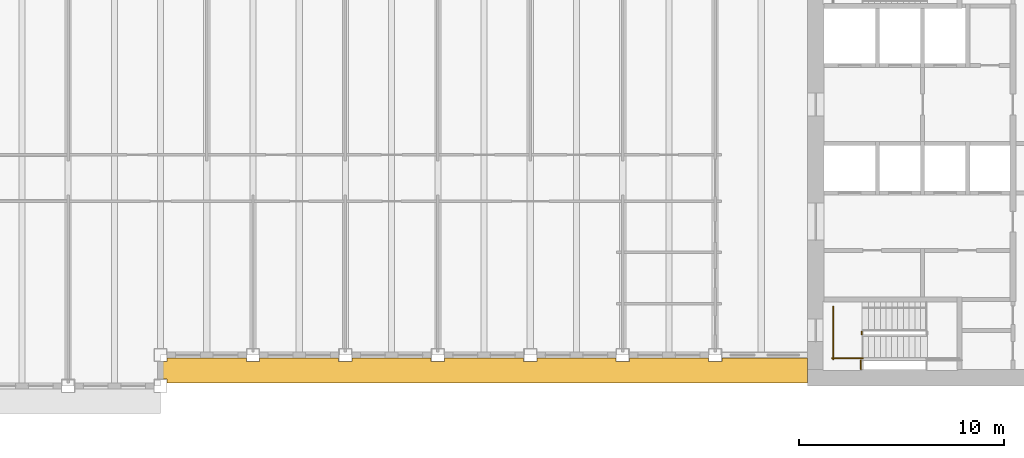
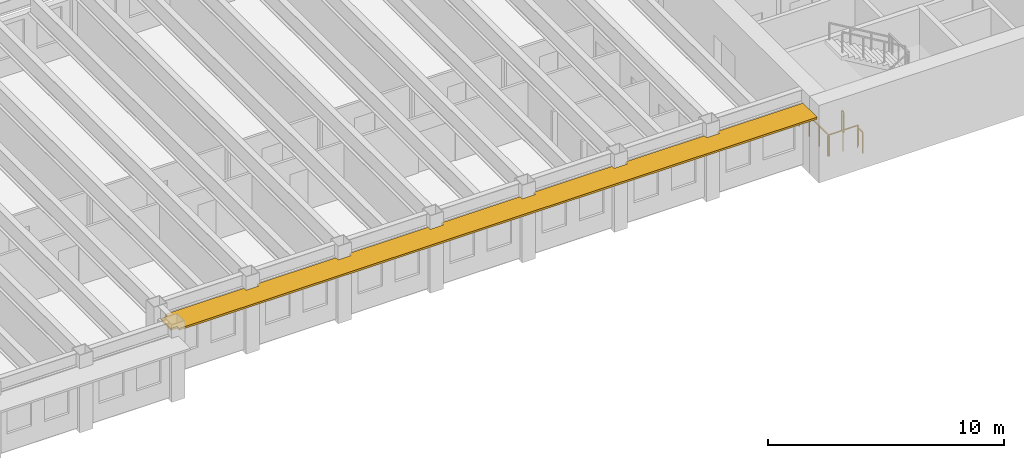
# One storey, part 9 of 12: 4 railings, 1 shading device.
"""IFC4 building model written with IfcOpenShell, lengths in metres."""

from ifc_helpers import new_model, si_unit, direction, frame, origin, origin_2d, place, context, subcontext, project, spatial, polyline, rectangle, outline, extrude, material, layer, layer_set, type_object, element, save


model = new_model("IFC4")

# Units and contexts
model_context = context("Model", 3, precision=1e-05, world=origin(), true_north=direction((0.0, 1.0)))
body_context = subcontext(model_context, "Body", "Model", "MODEL_VIEW")
ifc_project = project(units=[si_unit("LENGTHUNIT", "METRE"), si_unit("AREAUNIT", "SQUARE_METRE"), si_unit("VOLUMEUNIT", "CUBIC_METRE"), si_unit("PLANEANGLEUNIT", "RADIAN"), si_unit("MASSUNIT", "GRAM", prefix="KILO")], contexts=[model_context])

# Site, building, storey
site_placement = place(None, origin())
site = spatial("IfcSite", under=ifc_project, at=site_placement, CompositionType="ELEMENT")
building_placement = place(site_placement, origin())
building = spatial("IfcBuilding", under=site, at=building_placement, Name="Sennacour Bend Tower", CompositionType="ELEMENT")
storey_placement = place(building_placement, frame((0.0, 0.0, 249.0)))
storey = spatial("IfcBuildingStorey", under=building, at=storey_placement, Name="L57", CompositionType="ELEMENT", Elevation=249.0)

# Railings
ifc_material_1 = material(Name="Stainless steel", Category="steel")
railing_type = type_object("IfcRailingType", Name="RL-GUARD-1100", PredefinedType="GUARDRAIL", material=ifc_material_1)
railing_1_placement = place(storey_placement, frame((56.64990234375, 2.5, 0.0)))
element("IfcRailing", 1, at=railing_1_placement, inside=storey, type_object=railing_type, Name="L57 SA1 stair guard 5", PredefinedType="GUARDRAIL", context=body_context, shape_type="SweptSolid", body=[
    extrude(rectangle(XDim=0.048095703125, YDim=0.048095703125, at=origin_2d()), frame((0.0, 0.0, 1.076171875), z_axis=(0.0, 1.0, 0.0), x_axis=(-1.0, 0.0, 0.0)), (0.0, 0.0, 1.0), 0.14990234375),
    extrude(rectangle(XDim=0.0419921875, YDim=0.0419921875, at=origin_2d()), origin(), (0.0, 0.0, 1.0), 1.052001953125),
    extrude(rectangle(XDim=0.0419921875, YDim=0.0419921875, at=origin_2d()), frame((0.0, 0.14990234375, 0.0)), (0.0, 0.0, 1.0), 1.052001953125),
])
railing_2_placement = place(storey_placement, frame((55.199951171875, 1.35009765625, 0.0)))
element("IfcRailing", 2, at=railing_2_placement, inside=storey, type_object=railing_type, Name="L57 SA1 stair guard 6", PredefinedType="GUARDRAIL", context=body_context, shape_type="SweptSolid", body=[
    extrude(rectangle(XDim=0.048095703125, YDim=0.048095703125, at=origin_2d()), frame((0.0, 0.0, 1.076171875), z_axis=(1.0, 0.0, 0.0), x_axis=(0.0, 1.0, 0.0)), (0.0, 0.0, 1.0), 1.5),
    extrude(rectangle(XDim=0.0419921875, YDim=0.0419921875, at=origin_2d()), origin(), (0.0, 0.0, 1.0), 1.052001953125),
    extrude(rectangle(XDim=0.0419921875, YDim=0.0419921875, at=origin_2d()), frame((0.75, 0.0, 0.0)), (0.0, 0.0, 1.0), 1.052001953125),
    extrude(rectangle(XDim=0.0419921875, YDim=0.0419921875, at=origin_2d()), frame((1.5, 0.0, 0.0)), (0.0, 0.0, 1.0), 1.052001953125),
])
railing_3_placement = place(storey_placement, frame((55.25, 1.300048828125, 0.0)))
element("IfcRailing", 3, at=railing_3_placement, inside=storey, type_object=railing_type, Name="L57 SA1 stair guard 7", PredefinedType="GUARDRAIL", context=body_context, shape_type="SweptSolid", body=[
    extrude(rectangle(XDim=0.048095703125, YDim=0.048095703125, at=origin_2d()), frame((0.0, 0.0, 1.076171875), z_axis=(0.0, 1.0, 0.0), x_axis=(-1.0, 0.0, 0.0)), (0.0, 0.0, 1.0), 2.550048828125),
    extrude(rectangle(XDim=0.0419921875, YDim=0.0419921875, at=origin_2d()), origin(), (0.0, 0.0, 1.0), 1.052001953125),
    extrude(rectangle(XDim=0.0419921875, YDim=0.0419921875, at=origin_2d()), frame((0.0, 0.85009765625, 0.0)), (0.0, 0.0, 1.0), 1.052001953125),
    extrude(rectangle(XDim=0.0419921875, YDim=0.0419921875, at=origin_2d()), frame((0.0, 1.699951171875, 0.0)), (0.0, 0.0, 1.0), 1.052001953125),
    extrude(rectangle(XDim=0.0419921875, YDim=0.0419921875, at=origin_2d()), frame((0.0, 2.550048828125, 0.0)), (0.0, 0.0, 1.0), 1.052001953125),
])
railing_4_placement = place(storey_placement, frame((56.60009765625, 1.25, 0.0)))
element("IfcRailing", 4, at=railing_4_placement, inside=storey, type_object=railing_type, Name="L57 SA1 landing edge guard 144", PredefinedType="GUARDRAIL", context=body_context, shape_type="SweptSolid", body=[
    extrude(rectangle(XDim=0.048095703125, YDim=0.048095703125, at=origin_2d()), frame((0.0, 0.0, 1.076171875), z_axis=(0.0, -1.0, 0.0), x_axis=(1.0, 0.0, 0.0)), (0.0, 0.0, 1.0), 0.449951171875),
    extrude(rectangle(XDim=0.0419921875, YDim=0.0419921875, at=origin_2d()), origin(), (0.0, 0.0, 1.0), 1.052001953125),
    extrude(rectangle(XDim=0.0419921875, YDim=0.0419921875, at=origin_2d()), frame((0.0, -0.449951171875, 0.0)), (0.0, 0.0, 1.0), 1.052001953125),
])

# Shading device
ifc_material_2 = material(Name="Bronze anodised aluminium", Category="aluminium")
ifc_layer = layer(ifc_material_2, 0.10009765625, Name="Bronze anodised aluminium", Category="aluminium")
ifc_layer_set = layer_set([ifc_layer], Name="Bronze anodised aluminium")
shading_device_type = type_object("IfcShadingDeviceType", Name="SUNSHADE BAND STRAIGHT", PredefinedType="USERDEFINED", material=ifc_layer_set)
shading_device_placement = place(storey_placement, frame((0.0, 0.0, 3.06201171875)))
element("IfcShadingDevice", 5, at=shading_device_placement, inside=storey, type_object=shading_device_type, Name="Sunshade band L57 A outer face", ObjectType="SUNSHADE", PredefinedType="USERDEFINED", context=body_context, shape_type="SweptSolid", body=[
    extrude(outline(polyline([(26.675048828125, 1.35009765625), (26.675048828125, 1.175048828125), (27.324951171875, 1.175048828125), (27.324951171875, 1.35009765625), (31.175048828125, 1.35009765625), (31.175048828125, 1.175048828125), (31.824951171875, 1.175048828125), (31.824951171875, 1.35009765625), (35.675048828125, 1.35009765625), (35.675048828125, 1.175048828125), (36.324951171875, 1.175048828125), (36.324951171875, 1.35009765625), (40.175048828125, 1.35009765625), (40.175048828125, 1.175048828125), (40.824951171875, 1.175048828125), (40.824951171875, 1.35009765625), (44.675048828125, 1.35009765625), (44.675048828125, 1.175048828125), (45.324951171875, 1.175048828125), (45.324951171875, 1.35009765625), (49.175048828125, 1.35009765625), (49.175048828125, 1.175048828125), (49.824951171875, 1.175048828125), (49.824951171875, 1.35009765625), (54.0, 1.35009765625), (54.0, 0.14990234375), (22.824951171875, 0.14990234375), (22.824951171875, 0.324951171875), (22.5, 0.324951171875), (22.5, 1.175048828125), (22.824951171875, 1.175048828125), (22.824951171875, 1.35009765625), (26.675048828125, 1.35009765625)])), origin(), (0.0, 0.0, 1.0), 0.10009765625),
])

save(model, "model.ifc")
